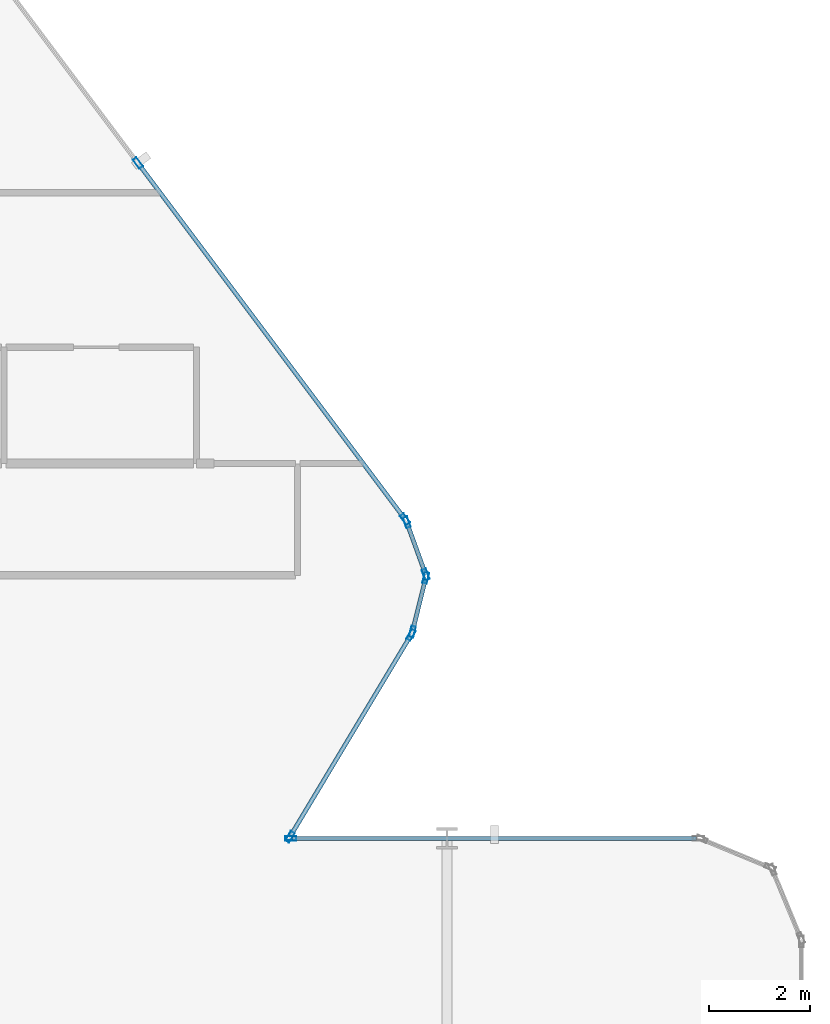
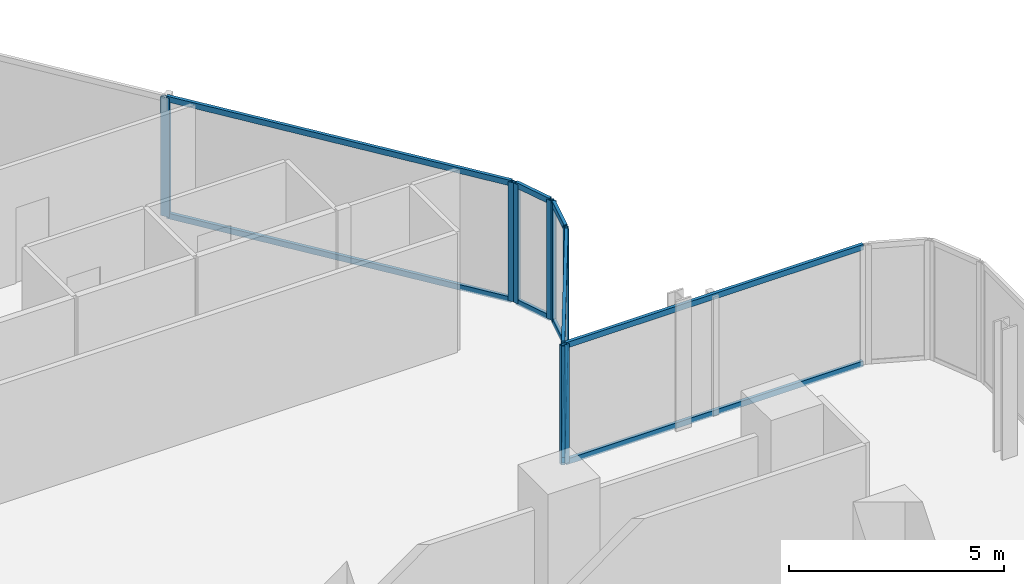
# One storey, part 15 of 35: 19 members, 5 elements without a shape of their own.
"""IFC4 building model written with IfcOpenShell, lengths in metres."""

from ifc_helpers import new_model, si_unit, direction, frame, origin, origin_2d, place, context, subcontext, project, spatial, hollow_rectangle, extrude, material, layer, layer_set, material_profile, profile_set, type_object, element, aggregate, save


model = new_model("IFC4")

# Units and contexts
model_context = context("Model", 3, precision=1e-05, world=origin(), true_north=direction((0.0, 1.0)))
body_context = subcontext(model_context, "Body", "Model", "MODEL_VIEW")
ifc_project = project(units=[si_unit("LENGTHUNIT", "METRE"), si_unit("AREAUNIT", "SQUARE_METRE"), si_unit("VOLUMEUNIT", "CUBIC_METRE"), si_unit("PLANEANGLEUNIT", "RADIAN"), si_unit("MASSUNIT", "GRAM", prefix="KILO")], contexts=[model_context])

# Site, building, storey
site_placement = place(None, origin())
site = spatial("IfcSite", under=ifc_project, at=site_placement, CompositionType="ELEMENT")
building_placement = place(site_placement, origin())
building = spatial("IfcBuilding", under=site, at=building_placement, Name="Keshet Zoharim Tower", CompositionType="ELEMENT")
storey_placement = place(building_placement, frame((0.0, 0.0, 24.0)))
storey = spatial("IfcBuildingStorey", under=building, at=storey_placement, Name="L04", CompositionType="ELEMENT", Elevation=24.0)

# Curtain wall, members
ifc_material = material(Name="Aluminium 6063-T6", Category="aluminium")
ifc_layer_1 = layer(ifc_material, 0.169921875)
ifc_layer_set_1 = layer_set([ifc_layer_1], Name="Aluminium 6063-T6")
curtain_wall_type_1 = type_object("IfcCurtainWallType", Name="CW-SYS-02", PredefinedType="NOTDEFINED", material=ifc_layer_set_1)
curtain_wall_1_placement = place(storey_placement, origin())
curtain_wall_1 = element("IfcCurtainWall", 1, at=curtain_wall_1_placement, inside=storey, type_object=curtain_wall_type_1, Name="L04 Unitised Curtain Wall 09", PredefinedType="NOTDEFINED")
ifc_material_profile_1 = material_profile(ifc_material, hollow_rectangle(XDim=0.090087890625, YDim=0.219970703125, WallThickness=0.0048828125, at=origin_2d()), Name="MUL-90x220")
ifc_profile_set_1 = profile_set([ifc_material_profile_1], Name="Aluminium 6063-T6")
member_type_1 = type_object("IfcMemberType", Name="CWM-M22", PredefinedType="MULLION", material=ifc_profile_set_1)
member_1_placement = place(storey_placement, frame((56.896484375, 46.0380859375, 0.0), z_axis=(0.0, 0.0, 1.0), x_axis=(0.799999999998, 0.600000000002, 0.0)))
member_1 = element("IfcMember", 2, at=member_1_placement, type_object=member_type_1, Name="CW-02 mullion 2", PredefinedType="MULLION", context=body_context, shape_type="SweptSolid", body=[
    extrude(hollow_rectangle(XDim=0.090087890625, YDim=0.219970703125, WallThickness=0.0048828125, at=origin_2d()), origin(), (0.0, 0.0, 1.0), 3.385009765625),
])
member_2_placement = place(storey_placement, frame((62.172119140625, 39.00390625, 0.0), z_axis=(0.0, 0.0, 1.0), x_axis=(0.799999999998, 0.600000000002, 0.0)))
member_2 = element("IfcMember", 3, at=member_2_placement, type_object=member_type_1, Name="CW-02 mullion 3", PredefinedType="MULLION", context=body_context, shape_type="SweptSolid", body=[
    extrude(hollow_rectangle(XDim=0.090087890625, YDim=0.219970703125, WallThickness=0.0048828125, at=origin_2d()), origin(), (0.0, 0.0, 1.0), 3.385009765625),
])

curtain_wall_2_placement = place(storey_placement, origin())
curtain_wall_2 = element("IfcCurtainWall", 4, at=curtain_wall_2_placement, inside=storey, type_object=curtain_wall_type_1, Name="L04 Unitised Curtain Wall 10", PredefinedType="NOTDEFINED")
member_3_placement = place(storey_placement, frame((62.204833984375, 38.943115234375, 0.0), z_axis=(0.0, 0.0, 1.0), x_axis=(0.940317877544, 0.340297354046, 0.0)))
member_3 = element("IfcMember", 5, at=member_3_placement, type_object=member_type_1, Name="CW-02 mullion 1", PredefinedType="MULLION", context=body_context, shape_type="SweptSolid", body=[
    extrude(hollow_rectangle(XDim=0.090087890625, YDim=0.219970703125, WallThickness=0.0048828125, at=origin_2d()), origin(), (0.0, 0.0, 1.0), 3.385009765625),
])
member_4_placement = place(storey_placement, frame((62.578125, 37.911865234375, 0.0), z_axis=(0.0, 0.0, 1.0), x_axis=(0.940317877544, 0.340297354046, 0.0)))
member_4 = element("IfcMember", 6, at=member_4_placement, type_object=member_type_1, Name="CW-02 mullion 2", PredefinedType="MULLION", context=body_context, shape_type="SweptSolid", body=[
    extrude(hollow_rectangle(XDim=0.090087890625, YDim=0.219970703125, WallThickness=0.0048828125, at=origin_2d()), origin(), (0.0, 0.0, 1.0), 3.385009765625),
])

curtain_wall_3_placement = place(storey_placement, origin())
curtain_wall_3 = element("IfcCurtainWall", 7, at=curtain_wall_3_placement, inside=storey, type_object=curtain_wall_type_1, Name="L04 Unitised Curtain Wall 11", PredefinedType="NOTDEFINED")
member_5_placement = place(storey_placement, frame((62.58154296875, 37.844970703125, 0.0), z_axis=(0.0, 0.0, 1.0), x_axis=(0.970343857447, -0.241728770141, 0.0)))
member_5 = element("IfcMember", 8, at=member_5_placement, type_object=member_type_1, Name="CW-02 mullion 1", PredefinedType="MULLION", context=body_context, shape_type="SweptSolid", body=[
    extrude(hollow_rectangle(XDim=0.090087890625, YDim=0.219970703125, WallThickness=0.0048828125, at=origin_2d()), origin(), (0.0, 0.0, 1.0), 3.385009765625),
])
member_6_placement = place(storey_placement, frame((62.31640625, 36.781005859375, 0.0), z_axis=(0.0, 0.0, 1.0), x_axis=(0.970343857447, -0.241728770141, 0.0)))
member_6 = element("IfcMember", 9, at=member_6_placement, type_object=member_type_1, Name="CW-02 mullion 2", PredefinedType="MULLION", context=body_context, shape_type="SweptSolid", body=[
    extrude(hollow_rectangle(XDim=0.090087890625, YDim=0.219970703125, WallThickness=0.0048828125, at=origin_2d()), origin(), (0.0, 0.0, 1.0), 3.385009765625),
])

ifc_layer_2 = layer(ifc_material, 0.179931640625)
ifc_layer_set_2 = layer_set([ifc_layer_2], Name="Aluminium 6063-T6")
curtain_wall_type_2 = type_object("IfcCurtainWallType", Name="CW-SYS-01", PredefinedType="NOTDEFINED", material=ifc_layer_set_2)
curtain_wall_4_placement = place(storey_placement, origin())
curtain_wall_4 = element("IfcCurtainWall", 10, at=curtain_wall_4_placement, inside=storey, type_object=curtain_wall_type_2, Name="L04 Unitised Curtain Wall 12", PredefinedType="NOTDEFINED")
member_7_placement = place(storey_placement, frame((62.2900390625, 36.717041015625, 0.0), z_axis=(0.0, 0.0, 1.0), x_axis=(0.857511621163, -0.51446459506, 0.0)))
member_7 = element("IfcMember", 11, at=member_7_placement, type_object=member_type_1, Name="CW-01 mullion 1", PredefinedType="MULLION", context=body_context, shape_type="SweptSolid", body=[
    extrude(hollow_rectangle(XDim=0.090087890625, YDim=0.219970703125, WallThickness=0.0048828125, at=origin_2d()), origin(), (0.0, 0.0, 1.0), 3.385009765625),
])
member_8_placement = place(storey_placement, frame((59.89794921875, 32.72998046875, 0.0), z_axis=(0.0, 0.0, 1.0), x_axis=(0.857511621163, -0.51446459506, 0.0)))
member_8 = element("IfcMember", 12, at=member_8_placement, type_object=member_type_1, Name="CW-01 mullion 2", PredefinedType="MULLION", context=body_context, shape_type="SweptSolid", body=[
    extrude(hollow_rectangle(XDim=0.090087890625, YDim=0.219970703125, WallThickness=0.0048828125, at=origin_2d()), origin(), (0.0, 0.0, 1.0), 3.385009765625),
])

# Curtain wall, member
curtain_wall_5_placement = place(storey_placement, origin())
curtain_wall_5 = element("IfcCurtainWall", 13, at=curtain_wall_5_placement, inside=storey, type_object=curtain_wall_type_1, Name="L04 Unitised Curtain Wall 13", PredefinedType="NOTDEFINED")
member_9_placement = place(storey_placement, frame((59.9150390625, 32.699951171875, 0.0), z_axis=(0.0, 0.0, 1.0), x_axis=(0.0, 1.0, 0.0)))
member_9 = element("IfcMember", 14, at=member_9_placement, type_object=member_type_1, Name="CW-02 mullion 1", PredefinedType="MULLION", context=body_context, shape_type="SweptSolid", body=[
    extrude(hollow_rectangle(XDim=0.090087890625, YDim=0.219970703125, WallThickness=0.0048828125, at=origin_2d()), origin(), (0.0, 0.0, 1.0), 3.385009765625),
])

# Member
ifc_material_profile_2 = material_profile(ifc_material, hollow_rectangle(XDim=0.0849609375, YDim=0.159912109375, WallThickness=0.00439453125, at=origin_2d()), Name="TRN-85x160")
ifc_profile_set_2 = profile_set([ifc_material_profile_2], Name="Aluminium 6063-T6")
member_type_2 = type_object("IfcMemberType", Name="CWT-T16", PredefinedType="USERDEFINED", material=ifc_profile_set_2)
member_10_placement = place(storey_placement, frame((56.91748046875, 46.010009765625, 0.034912109375), z_axis=(0.599991043201, -0.800006717521, 0.0), x_axis=(0.800006717521, 0.599991043201, 0.0)))
member_10 = element("IfcMember", 15, at=member_10_placement, type_object=member_type_2, Name="CW-02 transom 2.1", ObjectType="TRANSOM", PredefinedType="USERDEFINED", context=body_context, shape_type="SweptSolid", body=[
    extrude(hollow_rectangle(XDim=0.0849609375, YDim=0.159912109375, WallThickness=0.00439453125, at=origin_2d()), origin(), (0.0, 0.0, 1.0), 8.722412109375),
])

member_11_placement = place(storey_placement, frame((56.91748046875, 46.010009765625, 3.35009765625), z_axis=(0.599991043201, -0.800006717521, 0.0), x_axis=(0.800006717521, 0.599991043201, 0.0)))
member_11 = element("IfcMember", 16, at=member_11_placement, type_object=member_type_2, Name="CW-02 transom 2.2", ObjectType="TRANSOM", PredefinedType="USERDEFINED", context=body_context, shape_type="SweptSolid", body=[
    extrude(hollow_rectangle(XDim=0.0849609375, YDim=0.159912109375, WallThickness=0.00439453125, at=origin_2d()), origin(), (0.0, 0.0, 1.0), 8.722412109375),
])

aggregate(curtain_wall_1, [member_1, member_2, member_10, member_11])

member_12_placement = place(storey_placement, frame((62.216796875, 38.91015625, 0.034912109375), z_axis=(0.340310579984, -0.940313091024, 0.0), x_axis=(0.940313091024, 0.340310579984, 0.0)))
member_12 = element("IfcMember", 17, at=member_12_placement, type_object=member_type_2, Name="CW-02 transom 1.1", ObjectType="TRANSOM", PredefinedType="USERDEFINED", context=body_context, shape_type="SweptSolid", body=[
    extrude(hollow_rectangle(XDim=0.0849609375, YDim=0.159912109375, WallThickness=0.00439453125, at=origin_2d()), origin(), (0.0, 0.0, 1.0), 1.026611328125),
])

member_13_placement = place(storey_placement, frame((62.216796875, 38.91015625, 3.35009765625), z_axis=(0.340310579984, -0.940313091024, 0.0), x_axis=(0.940313091024, 0.340310579984, 0.0)))
member_13 = element("IfcMember", 18, at=member_13_placement, type_object=member_type_2, Name="CW-02 transom 1.2", ObjectType="TRANSOM", PredefinedType="USERDEFINED", context=body_context, shape_type="SweptSolid", body=[
    extrude(hollow_rectangle(XDim=0.0849609375, YDim=0.159912109375, WallThickness=0.00439453125, at=origin_2d()), origin(), (0.0, 0.0, 1.0), 1.026611328125),
])

aggregate(curtain_wall_2, [member_3, member_4, member_12, member_13])

member_14_placement = place(storey_placement, frame((62.572998046875, 37.81103515625, 0.034912109375), z_axis=(-0.241640143717, -0.970365931463, 0.0), x_axis=(0.970365931463, -0.241640143717, 0.0)))
member_14 = element("IfcMember", 19, at=member_14_placement, type_object=member_type_2, Name="CW-02 transom 1.1", ObjectType="TRANSOM", PredefinedType="USERDEFINED", context=body_context, shape_type="SweptSolid", body=[
    extrude(hollow_rectangle(XDim=0.0849609375, YDim=0.159912109375, WallThickness=0.00439453125, at=origin_2d()), origin(), (0.0, 0.0, 1.0), 1.026611328125),
])

member_15_placement = place(storey_placement, frame((62.572998046875, 37.81103515625, 3.35009765625), z_axis=(-0.241640143717, -0.970365931463, 0.0), x_axis=(0.970365931463, -0.241640143717, 0.0)))
member_15 = element("IfcMember", 20, at=member_15_placement, type_object=member_type_2, Name="CW-02 transom 1.2", ObjectType="TRANSOM", PredefinedType="USERDEFINED", context=body_context, shape_type="SweptSolid", body=[
    extrude(hollow_rectangle(XDim=0.0849609375, YDim=0.159912109375, WallThickness=0.00439453125, at=origin_2d()), origin(), (0.0, 0.0, 1.0), 1.026611328125),
])

aggregate(curtain_wall_3, [member_5, member_6, member_14, member_15])

member_16_placement = place(storey_placement, frame((62.27197265625, 36.68701171875, 0.034912109375), z_axis=(-0.514456555213, -0.857516444622, 0.0), x_axis=(0.857516444622, -0.514456555213, 0.0)))
member_16 = element("IfcMember", 21, at=member_16_placement, type_object=member_type_2, Name="CW-01 transom 1.1", ObjectType="TRANSOM", PredefinedType="USERDEFINED", context=body_context, shape_type="SweptSolid", body=[
    extrude(hollow_rectangle(XDim=0.0849609375, YDim=0.159912109375, WallThickness=0.00439453125, at=origin_2d()), origin(), (0.0, 0.0, 1.0), 4.57958984375),
])

member_17_placement = place(storey_placement, frame((62.27197265625, 36.68701171875, 3.35009765625), z_axis=(-0.514456555213, -0.857516444622, 0.0), x_axis=(0.857516444622, -0.514456555213, 0.0)))
member_17 = element("IfcMember", 22, at=member_17_placement, type_object=member_type_2, Name="CW-01 transom 1.2", ObjectType="TRANSOM", PredefinedType="USERDEFINED", context=body_context, shape_type="SweptSolid", body=[
    extrude(hollow_rectangle(XDim=0.0849609375, YDim=0.159912109375, WallThickness=0.00439453125, at=origin_2d()), origin(), (0.0, 0.0, 1.0), 4.57958984375),
])

aggregate(curtain_wall_4, [member_7, member_8, member_16, member_17])

member_18_placement = place(storey_placement, frame((59.949951171875, 32.699951171875, 0.034912109375), z_axis=(1.0, 0.0, 0.0), x_axis=(0.0, 1.0, 0.0)))
member_18 = element("IfcMember", 23, at=member_18_placement, type_object=member_type_2, Name="CW-02 transom 1.1", ObjectType="TRANSOM", PredefinedType="USERDEFINED", context=body_context, shape_type="SweptSolid", body=[
    extrude(hollow_rectangle(XDim=0.0849609375, YDim=0.159912109375, WallThickness=0.00439453125, at=origin_2d()), origin(), (0.0, 0.0, 1.0), 7.97998046875),
])

member_19_placement = place(storey_placement, frame((59.949951171875, 32.699951171875, 3.35009765625), z_axis=(1.0, 0.0, 0.0), x_axis=(0.0, 1.0, 0.0)))
member_19 = element("IfcMember", 24, at=member_19_placement, type_object=member_type_2, Name="CW-02 transom 1.2", ObjectType="TRANSOM", PredefinedType="USERDEFINED", context=body_context, shape_type="SweptSolid", body=[
    extrude(hollow_rectangle(XDim=0.0849609375, YDim=0.159912109375, WallThickness=0.00439453125, at=origin_2d()), origin(), (0.0, 0.0, 1.0), 7.97998046875),
])

aggregate(curtain_wall_5, [member_9, member_18, member_19])

save(model, "model.ifc")
